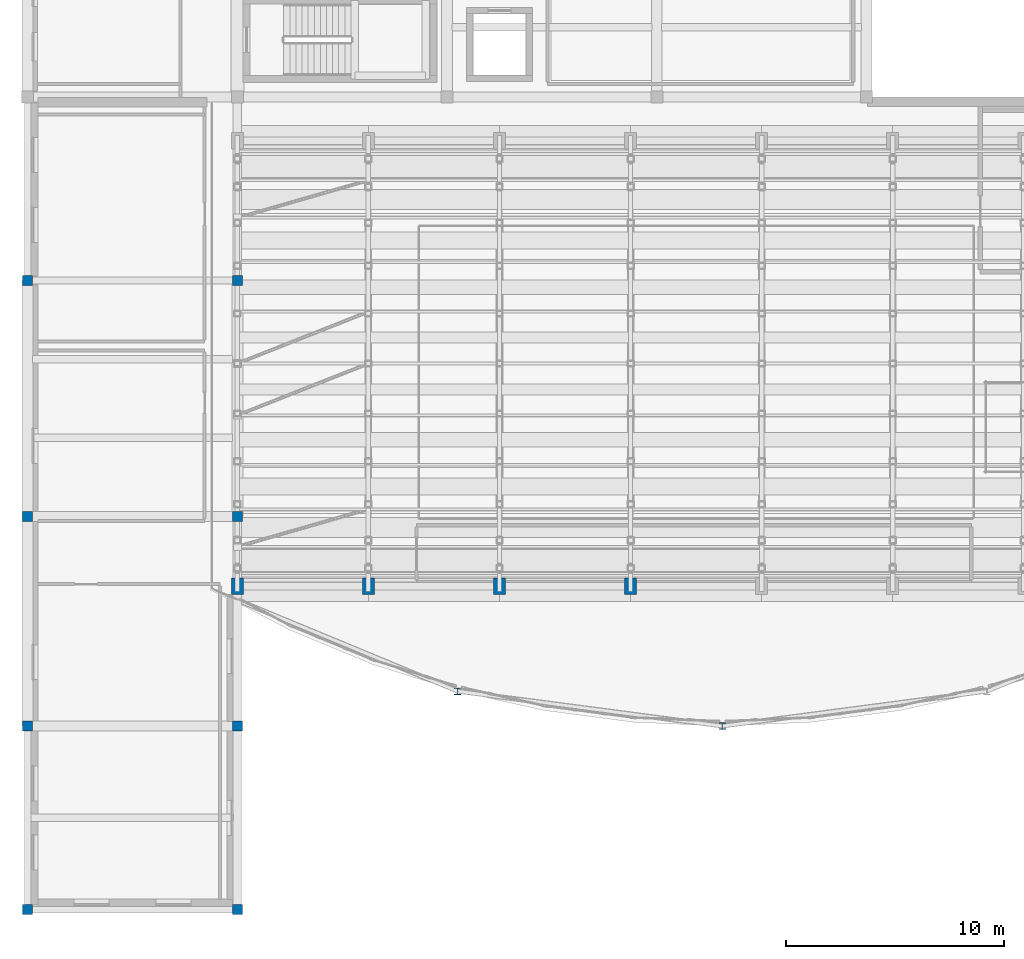
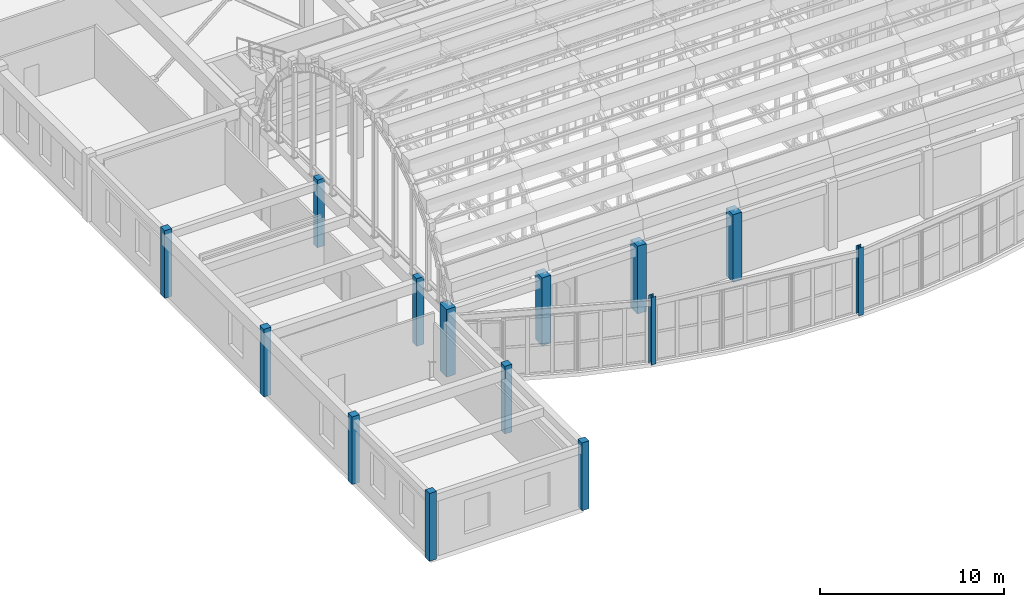
# One storey, part 1 of 91: 14 columns.
"""IFC4 building model written with IfcOpenShell, lengths in metres."""

from ifc_helpers import new_model, si_unit, direction, frame, origin, origin_2d, place, context, subcontext, project, spatial, rectangle, i_section, extrude, material, material_profile, profile_set, type_object, element, save


model = new_model("IFC4")

# Units and contexts
model_context = context("Model", 3, precision=1e-05, world=origin(), true_north=direction((0.0, 1.0)))
body_context = subcontext(model_context, "Body", "Model", "MODEL_VIEW")
ifc_project = project(units=[si_unit("LENGTHUNIT", "METRE"), si_unit("AREAUNIT", "SQUARE_METRE"), si_unit("VOLUMEUNIT", "CUBIC_METRE"), si_unit("PLANEANGLEUNIT", "RADIAN"), si_unit("MASSUNIT", "GRAM", prefix="KILO")], contexts=[model_context])

# Site, building, storey
site_placement = place(None, origin())
site = spatial("IfcSite", under=ifc_project, at=site_placement, CompositionType="ELEMENT")
building_placement = place(site_placement, origin())
building = spatial("IfcBuilding", under=site, at=building_placement, Name="Tarnavel Promenade Courthouse", CompositionType="ELEMENT")
storey_placement = place(building_placement, frame((0.0, 0.0, 9.89990234375)))
storey = spatial("IfcBuildingStorey", under=building, at=storey_placement, Name="L03", CompositionType="ELEMENT", Elevation=9.89990234375)

# Columns
ifc_material_1 = material(Name="Concrete C40/50", Category="concrete")
ifc_material_profile_1 = material_profile(ifc_material_1, rectangle(XDim=0.449951171875, YDim=0.449951171875, at=origin_2d()), Name="RC 450x450")
ifc_profile_set_1 = profile_set([ifc_material_profile_1], Name="Concrete C40/50")
column_type_1 = type_object("IfcColumnType", Name="Concrete C40/50 COL-RC450-PAV (RC 450x450)", PredefinedType="COLUMN", material=ifc_profile_set_1)
for number, where, z_axis, x_axis, name in (
    (1, (0.0, 0.0, 0.0), (0.0, 0.0, 1.0), (1.0, 0.0, 0.0), "L03 Structural Column 0617"),
    (2, (0.0, 8.39990234375, 0.0), (0.0, 0.0, 1.0), (1.0, 0.0, 0.0), "L03 Structural Column 0621"),
    (3, (0.0, 18.0, 0.0), (0.0, 0.0, 1.0), (1.0, 0.0, 0.0), "L03 Structural Column 0625"),
    (4, (0.0, 28.800048828125, 0.0), (0.0, 0.0, 1.0), (1.0, 0.0, 0.0), "L03 Structural Column 0629"),
    (5, (9.60009765625, 0.0, 0.0), (0.0, 0.0, 1.0), (1.0, 0.0, 0.0), "L03 Structural Column 0633"),
    (6, (9.60009765625, 8.39990234375, 0.0), (0.0, 0.0, 1.0), (1.0, 0.0, 0.0), "L03 Structural Column 0637"),
    (7, (9.60009765625, 18.0, 0.0), (0.0, 0.0, 1.0), (1.0, 0.0, 0.0), "L03 Structural Column 0641"),
    (8, (9.60009765625, 28.800048828125, 0.0), (0.0, 0.0, 1.0), (1.0, 0.0, 0.0), "L03 Structural Column 0645"),
):
    element("IfcColumn", number, at=place(storey_placement, frame(where, z_axis=z_axis, x_axis=x_axis)), inside=storey, type_object=column_type_1, Name=name, PredefinedType="COLUMN", context=body_context, shape_type="SweptSolid", body=[
        extrude(rectangle(XDim=0.449951171875, YDim=0.449951171875, at=origin_2d()), origin(), (0.0, 0.0, 1.0), 4.5),
    ])
ifc_material_profile_2 = material_profile(ifc_material_1, rectangle(XDim=0.550048828125, YDim=0.75, at=origin_2d()), Name="RC 550x750")
ifc_profile_set_2 = profile_set([ifc_material_profile_2], Name="Concrete C40/50")
column_type_2 = type_object("IfcColumnType", Name="Concrete C40/50 COL-RC550x750 (RC 550x750)", PredefinedType="COLUMN", material=ifc_profile_set_2)
for number, where, z_axis, x_axis, name in (
    (9, (9.60009765625, 14.800048828125, 0.0), (0.0, 0.0, 1.0), (1.0, 0.0, 0.0), "L03 Structural Column 0649"),
    (10, (15.60009765625, 14.800048828125, 0.0), (0.0, 0.0, 1.0), (1.0, 0.0, 0.0), "L03 Structural Column 0657"),
    (11, (21.60009765625, 14.800048828125, 0.0), (0.0, 0.0, 1.0), (1.0, 0.0, 0.0), "L03 Structural Column 0665"),
    (12, (27.60009765625, 14.800048828125, 0.0), (0.0, 0.0, 1.0), (1.0, 0.0, 0.0), "L03 Structural Column 0673"),
):
    element("IfcColumn", number, at=place(storey_placement, frame(where, z_axis=z_axis, x_axis=x_axis)), inside=storey, type_object=column_type_2, Name=name, PredefinedType="COLUMN", context=body_context, shape_type="SweptSolid", body=[
        extrude(rectangle(XDim=0.550048828125, YDim=0.75, at=origin_2d()), origin(), (0.0, 0.0, 1.0), 4.5),
    ])
ifc_material_2 = material(Name="Steel S355J2", Category="steel")
ifc_material_profile_3 = material_profile(ifc_material_2, i_section(OverallWidth=0.300048828125, OverallDepth=0.300048828125, WebThickness=0.010986328125, FlangeThickness=0.01904296875, FilletRadius=0.027099609375, at=origin_2d()), Name="HEB 300")
ifc_profile_set_3 = profile_set([ifc_material_profile_3], Name="Steel S355J2")
column_type_3 = type_object("IfcColumnType", Name="Steel S355J2 COL-STL-HEB300 (HEB 300)", PredefinedType="COLUMN", material=ifc_profile_set_3)
for number, where, z_axis, x_axis, name in (
    (13, (19.687255859375, 9.99462890625, 0.0), (0.0, 0.0, 1.0), (1.0, 0.0, 0.0), "L03 Structural Column 0713"),
    (14, (31.800048828125, 8.39990234375, 0.0), (0.0, 0.0, 1.0), (1.0, 0.0, 0.0), "L03 Structural Column 0717"),
):
    element("IfcColumn", number, at=place(storey_placement, frame(where, z_axis=z_axis, x_axis=x_axis)), inside=storey, type_object=column_type_3, Name=name, PredefinedType="COLUMN", context=body_context, shape_type="SweptSolid", body=[
        extrude(i_section(OverallWidth=0.300048828125, OverallDepth=0.300048828125, WebThickness=0.010986328125, FlangeThickness=0.01904296875, FilletRadius=0.027099609375, at=origin_2d()), origin(), (0.0, 0.0, 1.0), 4.5),
    ])

save(model, "model.ifc")
